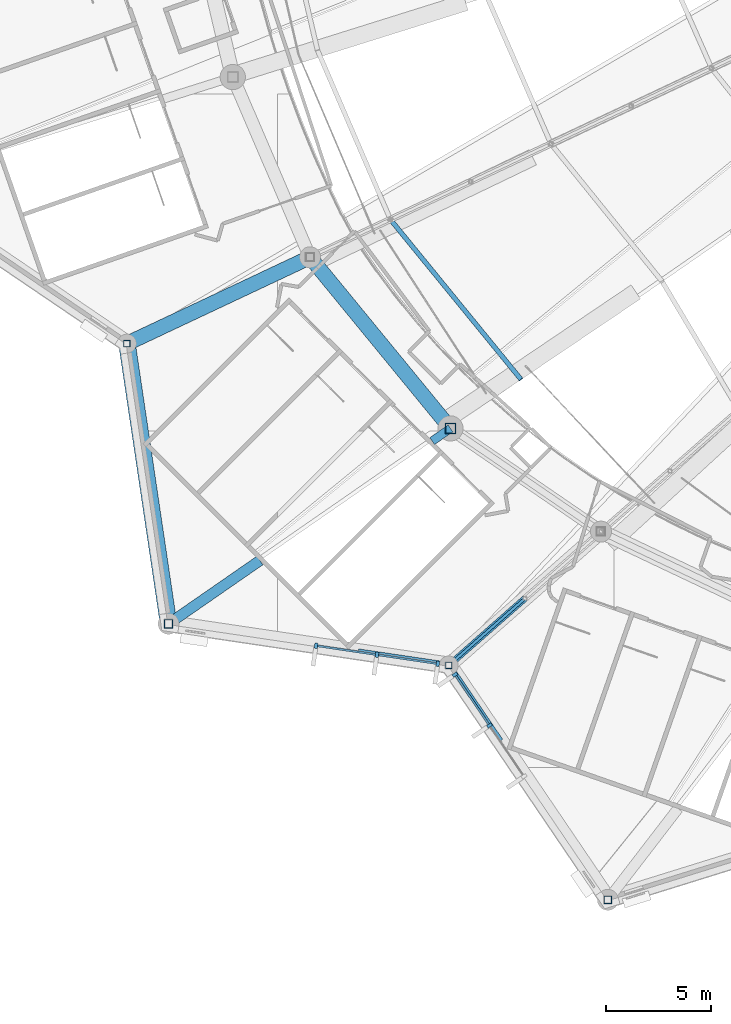
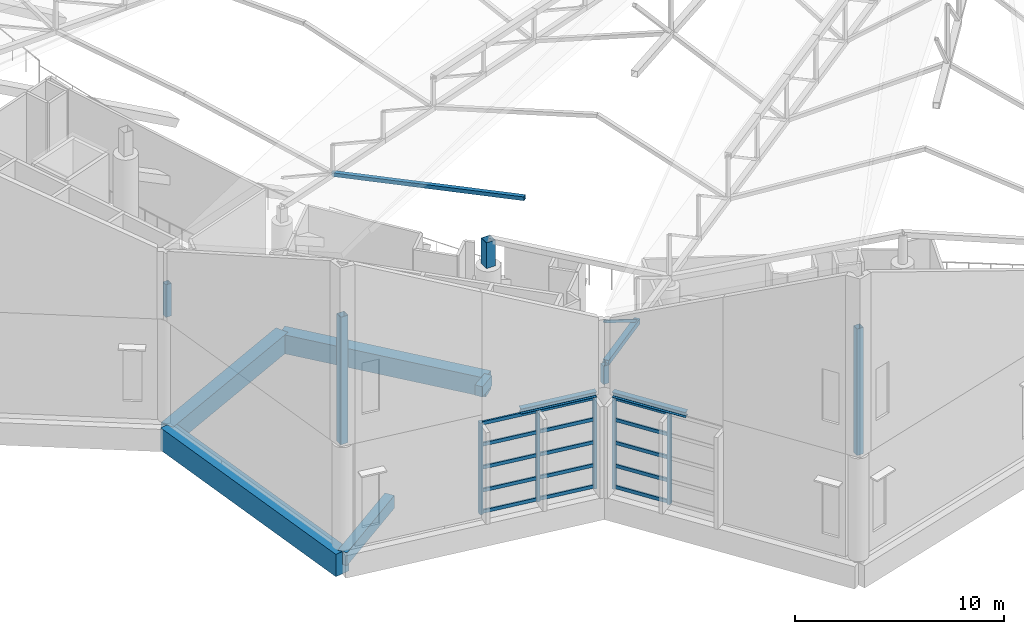
# One storey, part 3 of 344: 28 members, 7 beams, 2 elements without a shape of their own.
"""IFC4 building model written with IfcOpenShell, lengths in metres."""

from ifc_helpers import new_model, si_unit, direction, frame, origin, origin_2d, place, context, subcontext, project, spatial, rectangle, hollow_rectangle, i_section, extrude, material, layer, layer_set, material_profile, profile_set, type_object, element, aggregate, save


model = new_model("IFC4")

# Units and contexts
model_context = context("Model", 3, precision=1e-05, world=origin(), true_north=direction((0.0, 1.0)))
body_context = subcontext(model_context, "Body", "Model", "MODEL_VIEW")
ifc_project = project(units=[si_unit("LENGTHUNIT", "METRE"), si_unit("AREAUNIT", "SQUARE_METRE"), si_unit("VOLUMEUNIT", "CUBIC_METRE"), si_unit("PLANEANGLEUNIT", "RADIAN"), si_unit("MASSUNIT", "GRAM", prefix="KILO")], contexts=[model_context])

# Site, building, storey
site_placement = place(None, origin())
site = spatial("IfcSite", under=ifc_project, at=site_placement, CompositionType="ELEMENT")
building_placement = place(site_placement, origin())
building = spatial("IfcBuilding", under=site, at=building_placement, Name="Meseta Stadium", CompositionType="ELEMENT")
storey_placement = place(building_placement, frame((0.0, 0.0, 24.0)))
storey = spatial("IfcBuildingStorey", under=building, at=storey_placement, Name="L04", CompositionType="ELEMENT", Elevation=24.0)

# Beams
ifc_material_1 = material(Name="Steel S355", Category="steel")
ifc_material_profile_1 = material_profile(ifc_material_1, i_section(OverallWidth=0.300048828125, OverallDepth=0.300048828125, WebThickness=0.010986328125, FlangeThickness=0.01904296875, FilletRadius=0.027099609375, at=origin_2d()), Name="HEB 300")
ifc_profile_set_1 = profile_set([ifc_material_profile_1], Name="Steel S355")
beam_type_1 = type_object("IfcBeamType", Name="Atrium lintel beam HEB 300", PredefinedType="BEAM", material=ifc_profile_set_1)
for number, where, z_axis, x_axis, name in (
    (1, (-72.30126953125, -91.084716796875, 5.5), (-0.989158379386, 0.146852648908, 0.0), (-0.146852648908, -0.989158379386, 0.0), "Atrium lintel beam F40"),
    (2, (-71.604248046875, -91.52294921875, 5.5), (0.561499887567, -0.827476813127, 0.0), (0.827476813127, 0.561499887567, 0.0), "Atrium lintel beam F41"),
):
    element("IfcBeam", number, at=place(storey_placement, frame(where, z_axis=z_axis, x_axis=x_axis)), inside=storey, type_object=beam_type_1, Name=name, PredefinedType="BEAM", context=body_context, shape_type="SweptSolid", body=[
        extrude(i_section(OverallWidth=0.300048828125, OverallDepth=0.300048828125, WebThickness=0.010986328125, FlangeThickness=0.01904296875, FilletRadius=0.027099609375, at=origin_2d()), origin(), (0.0, 0.0, 1.0), 3.900146484375),
    ])

# Curtain wall, members
ifc_material_2 = material(Name="Steel S355", Category="steel")
ifc_layer = layer(ifc_material_2, 0.300048828125)
ifc_layer_set = layer_set([ifc_layer], Name="Valley atrium curtain wall")
curtain_wall_type = type_object("IfcCurtainWallType", Name="Valley atrium curtain wall", PredefinedType="NOTDEFINED", material=ifc_layer_set)
curtain_wall_1_placement = place(storey_placement, origin())
curtain_wall_1 = element("IfcCurtainWall", 3, at=curtain_wall_1_placement, inside=storey, type_object=curtain_wall_type, Name="Valley atrium glazing F40", PredefinedType="NOTDEFINED")
ifc_material_3 = material(Name="Steel S355", Category="steel")
ifc_material_profile_2 = material_profile(ifc_material_3, rectangle(XDim=0.25, YDim=0.14990234375, at=origin_2d()), Name="CW 250x150")
ifc_profile_set_2 = profile_set([ifc_material_profile_2], Name="Steel S355")
member_type_1 = type_object("IfcMemberType", Name="CW mullion bar 250x150", PredefinedType="MULLION", material=ifc_profile_set_2)
member_1_placement = place(storey_placement, frame((-78.162109375, -90.214599609375, 0.0), z_axis=(0.0, 0.0, 1.0), x_axis=(0.146853770992, 0.989158212798, 0.0)))
member_1 = element("IfcMember", 4, at=member_1_placement, type_object=member_type_1, Name="CWA mullion 1", PredefinedType="MULLION", context=body_context, shape_type="SweptSolid", body=[
    extrude(rectangle(XDim=0.25, YDim=0.14990234375, at=origin_2d()), origin(), (0.0, 0.0, 1.0), 5.35009765625),
])
member_2_placement = place(storey_placement, frame((-75.268798828125, -90.644287109375, 0.0), z_axis=(0.0, 0.0, 1.0), x_axis=(0.146853770992, 0.989158212798, 0.0)))
member_2 = element("IfcMember", 5, at=member_2_placement, type_object=member_type_1, Name="CWA mullion 2", PredefinedType="MULLION", context=body_context, shape_type="SweptSolid", body=[
    extrude(rectangle(XDim=0.25, YDim=0.14990234375, at=origin_2d()), origin(), (0.0, 0.0, 1.0), 5.35009765625),
])
member_3_placement = place(storey_placement, frame((-72.37548828125, -91.07373046875, 0.0), z_axis=(0.0, 0.0, 1.0), x_axis=(0.146853770992, 0.989158212798, 0.0)))
member_3 = element("IfcMember", 6, at=member_3_placement, type_object=member_type_1, Name="CWA mullion 3", PredefinedType="MULLION", context=body_context, shape_type="SweptSolid", body=[
    extrude(rectangle(XDim=0.25, YDim=0.14990234375, at=origin_2d()), origin(), (0.0, 0.0, 1.0), 5.35009765625),
])

curtain_wall_2_placement = place(storey_placement, origin())
curtain_wall_2 = element("IfcCurtainWall", 7, at=curtain_wall_2_placement, inside=storey, type_object=curtain_wall_type, Name="Valley atrium glazing F41", PredefinedType="NOTDEFINED")
member_4_placement = place(storey_placement, frame((-71.56201171875, -91.585205078125, 0.0), z_axis=(0.0, 0.0, 1.0), x_axis=(0.827483291834, 0.561490339842, 0.0)))
member_4 = element("IfcMember", 8, at=member_4_placement, type_object=member_type_1, Name="CWA mullion 1", PredefinedType="MULLION", context=body_context, shape_type="SweptSolid", body=[
    extrude(rectangle(XDim=0.25, YDim=0.14990234375, at=origin_2d()), origin(), (0.0, 0.0, 1.0), 5.35009765625),
])
member_5_placement = place(storey_placement, frame((-69.919677734375, -94.00537109375, 0.0), z_axis=(0.0, 0.0, 1.0), x_axis=(0.827483291834, 0.561490339842, 0.0)))
member_5 = element("IfcMember", 9, at=member_5_placement, type_object=member_type_1, Name="CWA mullion 2", PredefinedType="MULLION", context=body_context, shape_type="SweptSolid", body=[
    extrude(rectangle(XDim=0.25, YDim=0.14990234375, at=origin_2d()), origin(), (0.0, 0.0, 1.0), 5.35009765625),
])

# Member
ifc_material_4 = material(Name="Steel S355", Category="steel")
ifc_material_profile_3 = material_profile(ifc_material_4, hollow_rectangle(XDim=0.10009765625, YDim=0.199951171875, WallThickness=0.008056640625, at=origin_2d()), Name="RHS 200x100x8")
ifc_profile_set_3 = profile_set([ifc_material_profile_3], Name="Steel S355")
member_type_2 = type_object("IfcMemberType", Name="CW transom RHS 200x100x8", PredefinedType="USERDEFINED", material=ifc_profile_set_3)
member_6_placement = place(storey_placement, frame((-78.087890625, -90.2255859375, 0.10009765625), z_axis=(0.9891476511, -0.146924893475, 0.0), x_axis=(0.146924893475, 0.9891476511, 0.0)))
member_6 = element("IfcMember", 10, at=member_6_placement, type_object=member_type_2, Name="CWA transom 1.1", ObjectType="TRANSOM", PredefinedType="USERDEFINED", context=body_context, shape_type="SweptSolid", body=[
    extrude(hollow_rectangle(XDim=0.10009765625, YDim=0.199951171875, WallThickness=0.008056640625, at=origin_2d()), origin(), (0.0, 0.0, 1.0), 2.77490234375),
])

member_7_placement = place(storey_placement, frame((-78.087890625, -90.2255859375, 1.33740234375), z_axis=(0.9891476511, -0.146924893475, 0.0), x_axis=(0.146924893475, 0.9891476511, 0.0)))
member_7 = element("IfcMember", 11, at=member_7_placement, type_object=member_type_2, Name="CWA transom 1.2", ObjectType="TRANSOM", PredefinedType="USERDEFINED", context=body_context, shape_type="SweptSolid", body=[
    extrude(hollow_rectangle(XDim=0.10009765625, YDim=0.199951171875, WallThickness=0.008056640625, at=origin_2d()), origin(), (0.0, 0.0, 1.0), 2.77490234375),
])

member_8_placement = place(storey_placement, frame((-78.087890625, -90.2255859375, 2.675048828125), z_axis=(0.9891476511, -0.146924893475, 0.0), x_axis=(0.146924893475, 0.9891476511, 0.0)))
member_8 = element("IfcMember", 12, at=member_8_placement, type_object=member_type_2, Name="CWA transom 1.3", ObjectType="TRANSOM", PredefinedType="USERDEFINED", context=body_context, shape_type="SweptSolid", body=[
    extrude(hollow_rectangle(XDim=0.10009765625, YDim=0.199951171875, WallThickness=0.008056640625, at=origin_2d()), origin(), (0.0, 0.0, 1.0), 2.77490234375),
])

member_9_placement = place(storey_placement, frame((-78.087890625, -90.2255859375, 4.012451171875), z_axis=(0.9891476511, -0.146924893475, 0.0), x_axis=(0.146924893475, 0.9891476511, 0.0)))
member_9 = element("IfcMember", 13, at=member_9_placement, type_object=member_type_2, Name="CWA transom 1.4", ObjectType="TRANSOM", PredefinedType="USERDEFINED", context=body_context, shape_type="SweptSolid", body=[
    extrude(hollow_rectangle(XDim=0.10009765625, YDim=0.199951171875, WallThickness=0.008056640625, at=origin_2d()), origin(), (0.0, 0.0, 1.0), 2.77490234375),
])

member_10_placement = place(storey_placement, frame((-78.087890625, -90.2255859375, 5.25), z_axis=(0.9891476511, -0.146924893475, 0.0), x_axis=(0.146924893475, 0.9891476511, 0.0)))
member_10 = element("IfcMember", 14, at=member_10_placement, type_object=member_type_2, Name="CWA transom 1.5", ObjectType="TRANSOM", PredefinedType="USERDEFINED", context=body_context, shape_type="SweptSolid", body=[
    extrude(hollow_rectangle(XDim=0.10009765625, YDim=0.199951171875, WallThickness=0.008056640625, at=origin_2d()), origin(), (0.0, 0.0, 1.0), 2.77490234375),
])

member_11_placement = place(storey_placement, frame((-75.194580078125, -90.6552734375, 0.10009765625), z_axis=(0.989160433541, -0.146838812024, 0.0), x_axis=(0.146838812024, 0.989160433541, 0.0)))
member_11 = element("IfcMember", 15, at=member_11_placement, type_object=member_type_2, Name="CWA transom 2.1", ObjectType="TRANSOM", PredefinedType="USERDEFINED", context=body_context, shape_type="SweptSolid", body=[
    extrude(hollow_rectangle(XDim=0.10009765625, YDim=0.199951171875, WallThickness=0.008056640625, at=origin_2d()), origin(), (0.0, 0.0, 1.0), 2.77490234375),
])

member_12_placement = place(storey_placement, frame((-75.194580078125, -90.6552734375, 1.33740234375), z_axis=(0.989160433541, -0.146838812024, 0.0), x_axis=(0.146838812024, 0.989160433541, 0.0)))
member_12 = element("IfcMember", 16, at=member_12_placement, type_object=member_type_2, Name="CWA transom 2.2", ObjectType="TRANSOM", PredefinedType="USERDEFINED", context=body_context, shape_type="SweptSolid", body=[
    extrude(hollow_rectangle(XDim=0.10009765625, YDim=0.199951171875, WallThickness=0.008056640625, at=origin_2d()), origin(), (0.0, 0.0, 1.0), 2.77490234375),
])

member_13_placement = place(storey_placement, frame((-75.194580078125, -90.6552734375, 2.675048828125), z_axis=(0.989160433541, -0.146838812024, 0.0), x_axis=(0.146838812024, 0.989160433541, 0.0)))
member_13 = element("IfcMember", 17, at=member_13_placement, type_object=member_type_2, Name="CWA transom 2.3", ObjectType="TRANSOM", PredefinedType="USERDEFINED", context=body_context, shape_type="SweptSolid", body=[
    extrude(hollow_rectangle(XDim=0.10009765625, YDim=0.199951171875, WallThickness=0.008056640625, at=origin_2d()), origin(), (0.0, 0.0, 1.0), 2.77490234375),
])

member_14_placement = place(storey_placement, frame((-75.194580078125, -90.6552734375, 4.012451171875), z_axis=(0.989160433541, -0.146838812024, 0.0), x_axis=(0.146838812024, 0.989160433541, 0.0)))
member_14 = element("IfcMember", 18, at=member_14_placement, type_object=member_type_2, Name="CWA transom 2.4", ObjectType="TRANSOM", PredefinedType="USERDEFINED", context=body_context, shape_type="SweptSolid", body=[
    extrude(hollow_rectangle(XDim=0.10009765625, YDim=0.199951171875, WallThickness=0.008056640625, at=origin_2d()), origin(), (0.0, 0.0, 1.0), 2.77490234375),
])

member_15_placement = place(storey_placement, frame((-75.194580078125, -90.6552734375, 5.25), z_axis=(0.989160433541, -0.146838812024, 0.0), x_axis=(0.146838812024, 0.989160433541, 0.0)))
member_15 = element("IfcMember", 19, at=member_15_placement, type_object=member_type_2, Name="CWA transom 2.5", ObjectType="TRANSOM", PredefinedType="USERDEFINED", context=body_context, shape_type="SweptSolid", body=[
    extrude(hollow_rectangle(XDim=0.10009765625, YDim=0.199951171875, WallThickness=0.008056640625, at=origin_2d()), origin(), (0.0, 0.0, 1.0), 2.77490234375),
])

aggregate(curtain_wall_1, [member_1, member_2, member_3, member_6, member_7, member_8, member_9, member_10, member_11, member_12, member_13, member_14, member_15])

member_16_placement = place(storey_placement, frame((-71.52001953125, -91.647216796875, 0.10009765625), z_axis=(0.56150356987, -0.827474314419, 0.0), x_axis=(0.827474314419, 0.56150356987, 0.0)))
member_16 = element("IfcMember", 20, at=member_16_placement, type_object=member_type_2, Name="CWA transom 1.1", ObjectType="TRANSOM", PredefinedType="USERDEFINED", context=body_context, shape_type="SweptSolid", body=[
    extrude(hollow_rectangle(XDim=0.10009765625, YDim=0.199951171875, WallThickness=0.008056640625, at=origin_2d()), origin(), (0.0, 0.0, 1.0), 2.77490234375),
])

member_17_placement = place(storey_placement, frame((-71.52001953125, -91.647216796875, 1.33740234375), z_axis=(0.56150356987, -0.827474314419, 0.0), x_axis=(0.827474314419, 0.56150356987, 0.0)))
member_17 = element("IfcMember", 21, at=member_17_placement, type_object=member_type_2, Name="CWA transom 1.2", ObjectType="TRANSOM", PredefinedType="USERDEFINED", context=body_context, shape_type="SweptSolid", body=[
    extrude(hollow_rectangle(XDim=0.10009765625, YDim=0.199951171875, WallThickness=0.008056640625, at=origin_2d()), origin(), (0.0, 0.0, 1.0), 2.77490234375),
])

member_18_placement = place(storey_placement, frame((-71.52001953125, -91.647216796875, 2.675048828125), z_axis=(0.56150356987, -0.827474314419, 0.0), x_axis=(0.827474314419, 0.56150356987, 0.0)))
member_18 = element("IfcMember", 22, at=member_18_placement, type_object=member_type_2, Name="CWA transom 1.3", ObjectType="TRANSOM", PredefinedType="USERDEFINED", context=body_context, shape_type="SweptSolid", body=[
    extrude(hollow_rectangle(XDim=0.10009765625, YDim=0.199951171875, WallThickness=0.008056640625, at=origin_2d()), origin(), (0.0, 0.0, 1.0), 2.77490234375),
])

member_19_placement = place(storey_placement, frame((-71.52001953125, -91.647216796875, 4.012451171875), z_axis=(0.56150356987, -0.827474314419, 0.0), x_axis=(0.827474314419, 0.56150356987, 0.0)))
member_19 = element("IfcMember", 23, at=member_19_placement, type_object=member_type_2, Name="CWA transom 1.4", ObjectType="TRANSOM", PredefinedType="USERDEFINED", context=body_context, shape_type="SweptSolid", body=[
    extrude(hollow_rectangle(XDim=0.10009765625, YDim=0.199951171875, WallThickness=0.008056640625, at=origin_2d()), origin(), (0.0, 0.0, 1.0), 2.77490234375),
])

member_20_placement = place(storey_placement, frame((-71.52001953125, -91.647216796875, 5.25), z_axis=(0.56150356987, -0.827474314419, 0.0), x_axis=(0.827474314419, 0.56150356987, 0.0)))
member_20 = element("IfcMember", 24, at=member_20_placement, type_object=member_type_2, Name="CWA transom 1.5", ObjectType="TRANSOM", PredefinedType="USERDEFINED", context=body_context, shape_type="SweptSolid", body=[
    extrude(hollow_rectangle(XDim=0.10009765625, YDim=0.199951171875, WallThickness=0.008056640625, at=origin_2d()), origin(), (0.0, 0.0, 1.0), 2.77490234375),
])

aggregate(curtain_wall_2, [member_4, member_5, member_16, member_17, member_18, member_19, member_20])

# Beams
ifc_material_5 = material(Name="Concrete C40/50", Category="concrete")
ifc_material_profile_4 = material_profile(ifc_material_5, rectangle(XDim=0.39990234375, YDim=0.60009765625, at=origin_2d()), Name="RC 400x600")
ifc_profile_set_4 = profile_set([ifc_material_profile_4], Name="Concrete C40/50")
beam_type_2 = type_object("IfcBeamType", Name="RC beam 400x600", PredefinedType="BEAM", material=ifc_profile_set_4)
beam_1_placement = place(storey_placement, frame((-71.775390625, -79.888916015625, -0.699951171875), z_axis=(-0.821959126475, -0.569546481337, 0.0), x_axis=(0.569546481337, -0.821959126475, 0.0)))
element("IfcBeam", 25, at=beam_1_placement, inside=storey, type_object=beam_type_2, Name="L04 radial beam frame 40 line P to R", PredefinedType="BEAM", context=body_context, shape_type="SweptSolid", body=[
    extrude(rectangle(XDim=0.39990234375, YDim=0.60009765625, at=origin_2d()), origin(), (0.0, 0.0, 1.0), 1.05615234375),
])
ifc_material_6 = material(Name="Concrete C40/50", Category="concrete")
ifc_material_profile_5 = material_profile(ifc_material_6, rectangle(XDim=0.5, YDim=0.75, at=origin_2d()), Name="RC 500x750")
ifc_profile_set_5 = profile_set([ifc_material_profile_5], Name="Concrete C40/50")
beam_type_3 = type_object("IfcBeamType", Name="RC beam 500x750", PredefinedType="BEAM", material=ifc_profile_set_5)
beam_2_placement = place(storey_placement, frame((-80.830078125, -86.16357421875, -0.77490234375), z_axis=(-0.821929323184, -0.569589490503, 0.0), x_axis=(0.569589490503, -0.821929323184, 0.0)))
element("IfcBeam", 26, at=beam_2_placement, inside=storey, type_object=beam_type_3, Name="L04 radial beam frame 40 line P to R", PredefinedType="BEAM", context=body_context, shape_type="SweptSolid", body=[
    extrude(rectangle(XDim=0.5, YDim=0.75, at=origin_2d()), origin(), (0.0, 0.0, 1.0), 5.284423828125),
])
ifc_material_7 = material(Name="Concrete C40/50", Category="concrete")
ifc_material_profile_6 = material_profile(ifc_material_7, rectangle(XDim=0.699951171875, YDim=1.10009765625, at=origin_2d()), Name="RC 700x1100")
ifc_profile_set_6 = profile_set([ifc_material_profile_6], Name="Concrete C40/50")
beam_type_4 = type_object("IfcBeamType", Name="RC beam 700x1100", PredefinedType="BEAM", material=ifc_profile_set_6)
beam_3_placement = place(storey_placement, frame((-78.4453125, -71.756103515625, -0.949951171875), z_axis=(0.634137323649, -0.773220443829, 0.0), x_axis=(0.773220443829, 0.634137323649, 0.0)))
element("IfcBeam", 27, at=beam_3_placement, inside=storey, type_object=beam_type_4, Name="L04 ring beam frame 39 line P", PredefinedType="BEAM", context=body_context, shape_type="SweptSolid", body=[
    extrude(rectangle(XDim=0.699951171875, YDim=1.10009765625, at=origin_2d()), origin(), (0.0, 0.0, 1.0), 10.51806640625),
])
beam_4_placement = place(storey_placement, frame((-78.4453125, -71.756103515625, -0.949951171875), z_axis=(-0.904664550747, -0.426124454382, 0.0), x_axis=(0.426124454382, -0.904664550747, 0.0)))
element("IfcBeam", 28, at=beam_4_placement, inside=storey, type_object=beam_type_4, Name="L04 radial beam frame 39 line P to R", PredefinedType="BEAM", context=body_context, shape_type="SweptSolid", body=[
    extrude(rectangle(XDim=0.699951171875, YDim=1.10009765625, at=origin_2d()), origin(), (0.0, 0.0, 1.0), 9.623046875),
])
ifc_material_8 = material(Name="Concrete C40/50", Category="concrete")
ifc_material_profile_7 = material_profile(ifc_material_8, rectangle(XDim=0.800048828125, YDim=1.300048828125, at=origin_2d()), Name="RC 800x1300")
ifc_profile_set_7 = profile_set([ifc_material_profile_7], Name="Concrete C40/50")
beam_type_5 = type_object("IfcBeamType", Name="RC beam 800x1300", PredefinedType="BEAM", material=ifc_profile_set_7)
beam_5_placement = place(storey_placement, frame((-87.15087890625, -75.856689453125, -1.050048828125), z_axis=(0.146870032835, -0.989155798373, 0.0), x_axis=(0.989155798373, 0.146870032835, 0.0)))
element("IfcBeam", 29, at=beam_5_placement, inside=storey, type_object=beam_type_5, Name="L04 ring beam frame 39 line R", PredefinedType="BEAM", context=body_context, shape_type="SweptSolid", body=[
    extrude(rectangle(XDim=0.800048828125, YDim=1.300048828125, at=origin_2d()), origin(), (0.0, 0.0, 1.0), 13.462890625),
])

# Members
ifc_material_9 = material(Name="Steel S355", Category="steel")
ifc_material_profile_8 = material_profile(ifc_material_9, hollow_rectangle(XDim=0.139892578125, YDim=0.139892578125, WallThickness=0.0048828125, at=origin_2d()), Name="SHS 140x140x5")
ifc_profile_set_8 = profile_set([ifc_material_profile_8], Name="Steel S355")
member_type_3 = type_object("IfcMemberType", Name="SHS 140x140x5 diagonal", PredefinedType="BRACE", material=ifc_profile_set_8)
member_21_placement = place(storey_placement, frame((-68.239501953125, -87.9716796875, 6.400146484375), z_axis=(-0.62800992351, -0.551967145245, 0.548576162937), x_axis=(0.660168349463, -0.751117667458, 0.0)))
element("IfcMember", 30, at=member_21_placement, inside=storey, type_object=member_type_3, Name="ROOF TRUSS RT-41 diagonal", PredefinedType="BRACE", context=body_context, shape_type="SweptSolid", body=[
    extrude(hollow_rectangle(XDim=0.139892578125, YDim=0.139892578125, WallThickness=0.0048828125, at=origin_2d()), origin(), (0.0, 0.0, 1.0), 5.759765625),
])
ifc_material_10 = material(Name="Steel S355", Category="steel")
ifc_material_profile_9 = material_profile(ifc_material_10, hollow_rectangle(XDim=0.219970703125, YDim=0.219970703125, WallThickness=0.008056640625, at=origin_2d()), Name="SHS 220x220x8")
ifc_profile_set_9 = profile_set([ifc_material_profile_9], Name="Steel S355")
member_type_4 = type_object("IfcMemberType", Name="SHS 220x220x8 strut", PredefinedType="STRUT", material=ifc_profile_set_9)
member_22_placement = place(storey_placement, frame((-74.630126953125, -69.958740234375, 6.298583984375), z_axis=(0.62908146155, -0.770424461737, 0.103453678002), x_axis=(0.774580650247, 0.632475150708, 0.0)))
element("IfcMember", 31, at=member_22_placement, inside=storey, type_object=member_type_4, Name="ROOF TRUSS STRUT RT-39/40", PredefinedType="STRUT", context=body_context, shape_type="SweptSolid", body=[
    extrude(hollow_rectangle(XDim=0.219970703125, YDim=0.219970703125, WallThickness=0.008056640625, at=origin_2d()), origin(), (0.0, 0.0, 1.0), 9.87158203125),
])
ifc_material_11 = material(Name="Steel S355", Category="steel")
ifc_material_profile_10 = material_profile(ifc_material_11, hollow_rectangle(XDim=0.300048828125, YDim=0.300048828125, WallThickness=0.010009765625, at=origin_2d()), Name="SHS 300x300x10")
ifc_profile_set_10 = profile_set([ifc_material_profile_10], Name="Steel S355")
member_type_5 = type_object("IfcMemberType", Name="SHS 300x300x10 bottom chord", PredefinedType="CHORD", material=ifc_profile_set_10)
member_23_placement = place(storey_placement, frame((-68.239501953125, -87.9716796875, 6.400146484375), z_axis=(-0.744043554402, -0.653933397629, 0.137004746698), x_axis=(0.660158433584, -0.751126382554, 0.0)))
element("IfcMember", 32, at=member_23_placement, inside=storey, type_object=member_type_5, Name="ROOF TRUSS RT-41 bottom chord", PredefinedType="CHORD", context=body_context, shape_type="SweptSolid", body=[
    extrude(hollow_rectangle(XDim=0.300048828125, YDim=0.300048828125, WallThickness=0.010009765625, at=origin_2d()), origin(), (0.0, 0.0, 1.0), 4.711669921875),
])
ifc_material_12 = material(Name="Steel S355", Category="steel")
ifc_material_profile_11 = material_profile(ifc_material_12, hollow_rectangle(XDim=0.300048828125, YDim=0.300048828125, WallThickness=0.010009765625, at=origin_2d()), Name="SHS 300x300x10")
ifc_profile_set_11 = profile_set([ifc_material_profile_11], Name="Steel S355")
member_type_6 = type_object("IfcMemberType", Name="SHS 300x300x10 rim post", PredefinedType="POST", material=ifc_profile_set_11)
member_24_placement = place(storey_placement, frame((-87.15087890625, -75.856689453125, 6.0), z_axis=(0.0, 0.0, 1.0), x_axis=(1.0, 0.0, 0.0)))
element("IfcMember", 33, at=member_24_placement, inside=storey, type_object=member_type_6, Name="ROOF RIM POST RT-39", PredefinedType="POST", context=body_context, shape_type="SweptSolid", body=[
    extrude(hollow_rectangle(XDim=0.300048828125, YDim=0.300048828125, WallThickness=0.010009765625, at=origin_2d()), origin(), (0.0, 0.0, 1.0), 1.896240234375),
])
member_25_placement = place(storey_placement, frame((-71.856689453125, -91.15087890625, 6.0), z_axis=(0.0, 0.0, 1.0), x_axis=(1.0, 0.0, 0.0)))
element("IfcMember", 34, at=member_25_placement, inside=storey, type_object=member_type_6, Name="ROOF RIM POST RT-41", PredefinedType="POST", context=body_context, shape_type="SweptSolid", body=[
    extrude(hollow_rectangle(XDim=0.300048828125, YDim=0.300048828125, WallThickness=0.010009765625, at=origin_2d()), origin(), (0.0, 0.0, 1.0), 1.066162109375),
])
ifc_material_13 = material(Name="Steel S355", Category="steel")
ifc_material_profile_12 = material_profile(ifc_material_13, hollow_rectangle(XDim=0.35009765625, YDim=0.35009765625, WallThickness=0.01416015625, at=origin_2d()), Name="SHS 350x350x14.2")
ifc_profile_set_12 = profile_set([ifc_material_profile_12], Name="Steel S355")
member_type_7 = type_object("IfcMemberType", Name="SHS 350x350x14.2 rim post", PredefinedType="POST", material=ifc_profile_set_12)
member_26_placement = place(storey_placement, frame((-64.29736328125, -102.291015625, 6.0), z_axis=(0.0, 0.0, 1.0), x_axis=(1.0, 0.0, 0.0)))
element("IfcMember", 35, at=member_26_placement, inside=storey, type_object=member_type_7, Name="ROOF RIM POST RT-42", PredefinedType="POST", context=body_context, shape_type="SweptSolid", body=[
    extrude(hollow_rectangle(XDim=0.35009765625, YDim=0.35009765625, WallThickness=0.01416015625, at=origin_2d()), origin(), (0.0, 0.0, 1.0), 7.369873046875),
])
ifc_material_14 = material(Name="Steel S355", Category="steel")
ifc_material_profile_13 = material_profile(ifc_material_14, hollow_rectangle(XDim=0.39990234375, YDim=0.39990234375, WallThickness=0.01416015625, at=origin_2d()), Name="SHS 400x400x14.2")
ifc_profile_set_13 = profile_set([ifc_material_profile_13], Name="Steel S355")
member_type_8 = type_object("IfcMemberType", Name="SHS 400x400x14.2 rim post", PredefinedType="POST", material=ifc_profile_set_13)
member_27_placement = place(storey_placement, frame((-85.173828125, -89.173828125, 6.0), z_axis=(0.0, 0.0, 1.0), x_axis=(1.0, 0.0, 0.0)))
element("IfcMember", 36, at=member_27_placement, inside=storey, type_object=member_type_8, Name="ROOF RIM POST RT-40", PredefinedType="POST", context=body_context, shape_type="SweptSolid", body=[
    extrude(hollow_rectangle(XDim=0.39990234375, YDim=0.39990234375, WallThickness=0.01416015625, at=origin_2d()), origin(), (0.0, 0.0, 1.0), 7.431396484375),
])
ifc_material_15 = material(Name="Steel S355", Category="steel")
ifc_material_profile_14 = material_profile(ifc_material_15, hollow_rectangle(XDim=0.5, YDim=0.5, WallThickness=0.01611328125, at=origin_2d()), Name="SHS 500x500x16")
ifc_profile_set_14 = profile_set([ifc_material_profile_14], Name="Steel S355")
member_type_9 = type_object("IfcMemberType", Name="SHS 500x500x16 pedestal", PredefinedType="POST", material=ifc_profile_set_14)
member_28_placement = place(storey_placement, frame((-71.775390625, -79.888916015625, 6.0), z_axis=(0.0, 0.0, 1.0), x_axis=(1.0, 0.0, 0.0)))
element("IfcMember", 37, at=member_28_placement, inside=storey, type_object=member_type_9, Name="ROOF TRUSS RT-40 pedestal", PredefinedType="POST", context=body_context, shape_type="SweptSolid", body=[
    extrude(hollow_rectangle(XDim=0.5, YDim=0.5, WallThickness=0.01611328125, at=origin_2d()), origin(), (0.0, 0.0, 1.0), 1.498779296875),
])

save(model, "model.ifc")
